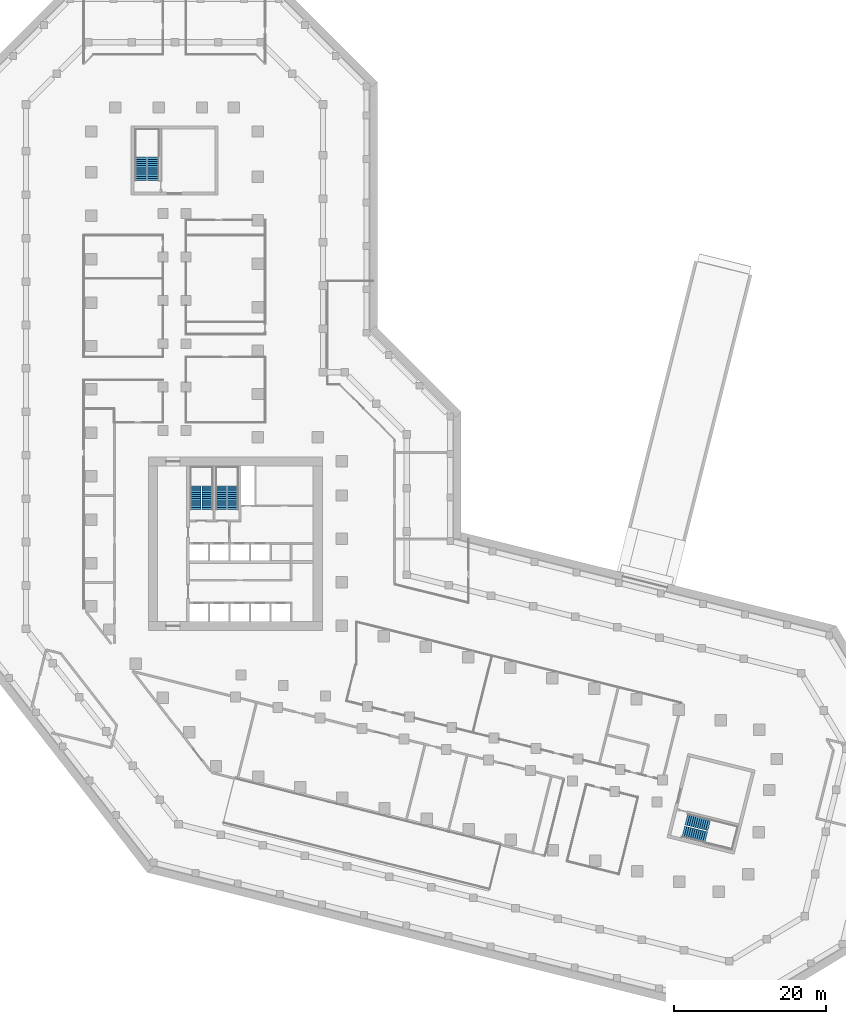
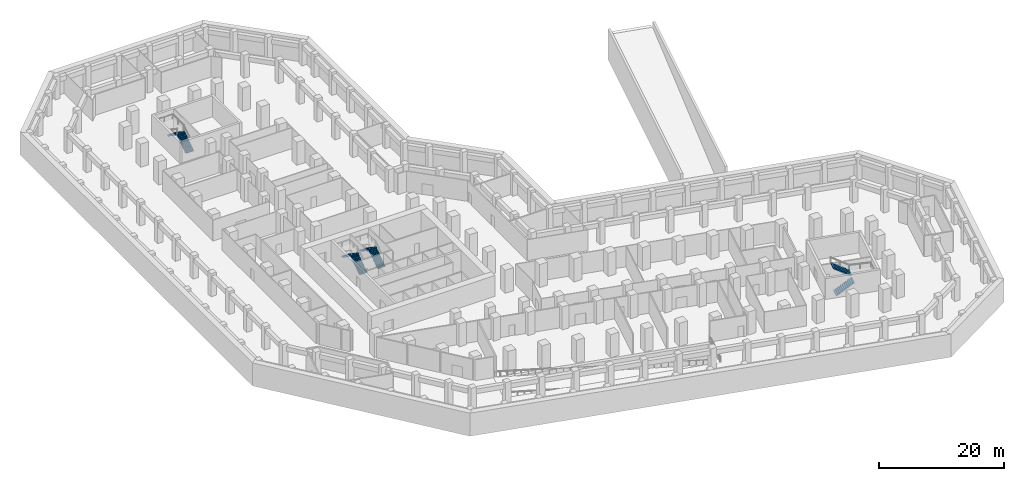
# One storey, part 13 of 14: 8 stair flights, 4 elements without a shape of their own.
"""IFC4 building model written with IfcOpenShell, lengths in metres."""

from ifc_helpers import new_model, si_unit, direction, frame, origin, place, context, subcontext, project, spatial, polyline, outline, extrude, material, type_object, element, aggregate, save


model = new_model("IFC4")

# Units and contexts
model_context = context("Model", 3, precision=1e-05, world=origin(), true_north=direction((0.0, 1.0)))
body_context = subcontext(model_context, "Body", "Model", "MODEL_VIEW")
ifc_project = project(units=[si_unit("LENGTHUNIT", "METRE"), si_unit("AREAUNIT", "SQUARE_METRE"), si_unit("VOLUMEUNIT", "CUBIC_METRE"), si_unit("PLANEANGLEUNIT", "RADIAN"), si_unit("MASSUNIT", "GRAM", prefix="KILO")], contexts=[model_context])

# Site, building, storey
site_placement = place(None, origin())
site = spatial("IfcSite", under=ifc_project, at=site_placement, CompositionType="ELEMENT")
building_placement = place(site_placement, origin())
building = spatial("IfcBuilding", under=site, at=building_placement, Name="Meshkara Civic Tower", CompositionType="ELEMENT")
storey_placement = place(building_placement, frame((0.0, 0.0, -4.5)))
storey = spatial("IfcBuildingStorey", under=building, at=storey_placement, Name="B1", CompositionType="ELEMENT", Elevation=-4.5)

# Stair, stair flights
ifc_material_1 = material(Name="Precast concrete C40/50", Category="concrete")
stair_type_1 = type_object("IfcStairType", Name="Exit stair half-turn 24 risers 1500 precast", PredefinedType="HALF_TURN_STAIR", material=ifc_material_1)
stair_1_placement = place(storey_placement, origin())
stair_1 = element("IfcStair", 1, at=stair_1_placement, inside=storey, type_object=stair_type_1, Name="B1 exit stair A from B2", PredefinedType="HALF_TURN_STAIR")
ifc_material_2 = material(Name="Precast concrete C40/50", Category="concrete")
stair_flight_type_1 = type_object("IfcStairFlightType", Name="Exit stair flight 12 risers 1500 precast", PredefinedType="STRAIGHT", material=ifc_material_2)
stair_flight_1_placement = place(storey_placement, frame((8.625, 73.169921875, 0.0), z_axis=(0.0, 0.0, 1.0), x_axis=(0.0, 1.0, 0.0)))
stair_flight_1 = element("IfcStairFlight", 2, at=stair_flight_1_placement, type_object=stair_flight_type_1, Name="ESA1 flight 1", NumberOfRisers=12, NumberOfTreads=11, PredefinedType="STRAIGHT", RiserHeight=0.1875, TreadLength=0.28, context=body_context, shape_type="SweptSolid", body=[
    extrude(outline(polyline([(0.0, 0.0), (0.0, 0.1875), (0.280029296875, 0.1875), (0.280029296875, 0.375), (0.56005859375, 0.375), (0.56005859375, 0.5625), (0.840087890625, 0.5625), (0.840087890625, 0.75), (1.1201171875, 0.75), (1.1201171875, 0.9375), (1.39990234375, 0.9375), (1.39990234375, 1.125), (1.679931640625, 1.125), (1.679931640625, 1.3125), (1.9599609375, 1.3125), (1.9599609375, 1.5), (2.239990234375, 1.5), (2.239990234375, 1.6875), (2.52001953125, 1.6875), (2.52001953125, 1.875), (2.800048828125, 1.875), (2.800048828125, 2.0625), (3.080078125, 2.0625), (3.080078125, 2.25), (3.080078125, 1.882080078125), (0.26953125, 0.0), (0.0, 0.0)])), frame((0.0, 0.75, 0.0), z_axis=(0.0, -1.0, 0.0), x_axis=(1.0, 0.0, 0.0)), (0.0, 0.0, 1.0), 1.5),
])
stair_flight_2_placement = place(storey_placement, frame((6.97509765625, 76.25, 2.25), z_axis=(0.0, 0.0, 1.0), x_axis=(0.0, -1.0, 0.0)))
stair_flight_2 = element("IfcStairFlight", 3, at=stair_flight_2_placement, type_object=stair_flight_type_1, Name="ESA1 flight 2", NumberOfRisers=12, NumberOfTreads=11, PredefinedType="STRAIGHT", RiserHeight=0.1875, TreadLength=0.28, context=body_context, shape_type="SweptSolid", body=[
    extrude(outline(polyline([(0.0, 0.0), (0.0, 0.1875), (0.280029296875, 0.1875), (0.280029296875, 0.375), (0.56005859375, 0.375), (0.56005859375, 0.5625), (0.840087890625, 0.5625), (0.840087890625, 0.75), (1.1201171875, 0.75), (1.1201171875, 0.9375), (1.39990234375, 0.9375), (1.39990234375, 1.125), (1.679931640625, 1.125), (1.679931640625, 1.3125), (1.9599609375, 1.3125), (1.9599609375, 1.5), (2.239990234375, 1.5), (2.239990234375, 1.6875), (2.52001953125, 1.6875), (2.52001953125, 1.875), (2.800048828125, 1.875), (2.800048828125, 2.0625), (3.080078125, 2.0625), (3.080078125, 2.25), (3.080078125, 1.882080078125), (0.26953125, 0.0), (0.0, 0.0)])), frame((0.0, 0.75, 0.0), z_axis=(0.0, -1.0, 0.0), x_axis=(1.0, 0.0, 0.0)), (0.0, 0.0, 1.0), 1.5),
])
aggregate(stair_1, [stair_flight_1, stair_flight_2])

stair_2_placement = place(storey_placement, origin())
stair_2 = element("IfcStair", 4, at=stair_2_placement, inside=storey, type_object=stair_type_1, Name="B1 exit stair B from B2", PredefinedType="HALF_TURN_STAIR")
stair_flight_3_placement = place(storey_placement, frame((78.214599609375, -12.3125, 0.0), z_axis=(0.0, 0.0, 1.0), x_axis=(0.970260066579, -0.242064873955, 0.0)))
stair_flight_3 = element("IfcStairFlight", 5, at=stair_flight_3_placement, type_object=stair_flight_type_1, Name="ESB1 flight 1", NumberOfRisers=12, NumberOfTreads=11, PredefinedType="STRAIGHT", RiserHeight=0.1875, TreadLength=0.28, context=body_context, shape_type="SweptSolid", body=[
    extrude(outline(polyline([(0.0, 0.0), (0.0, 0.1875), (0.280029296875, 0.1875), (0.280029296875, 0.375), (0.56005859375, 0.375), (0.56005859375, 0.5625), (0.840087890625, 0.5625), (0.840087890625, 0.75), (1.1201171875, 0.75), (1.1201171875, 0.9375), (1.39990234375, 0.9375), (1.39990234375, 1.125), (1.679931640625, 1.125), (1.679931640625, 1.3125), (1.9599609375, 1.3125), (1.9599609375, 1.5), (2.239990234375, 1.5), (2.239990234375, 1.6875), (2.52001953125, 1.6875), (2.52001953125, 1.875), (2.800048828125, 1.875), (2.800048828125, 2.0625), (3.080078125, 2.0625), (3.080078125, 2.25), (3.080078125, 1.882080078125), (0.26953125, 0.0), (0.0, 0.0)])), frame((0.0, 0.75, 0.0), z_axis=(0.0, -1.0, 0.0), x_axis=(1.0, 0.0, 0.0)), (0.0, 0.0, 1.0), 1.5),
])
stair_flight_4_placement = place(storey_placement, frame((81.6025390625, -11.457275390625, 2.25), z_axis=(0.0, 0.0, 1.0), x_axis=(-0.970260066579, 0.242064873955, 0.0)))
stair_flight_4 = element("IfcStairFlight", 6, at=stair_flight_4_placement, type_object=stair_flight_type_1, Name="ESB1 flight 2", NumberOfRisers=12, NumberOfTreads=11, PredefinedType="STRAIGHT", RiserHeight=0.1875, TreadLength=0.28, context=body_context, shape_type="SweptSolid", body=[
    extrude(outline(polyline([(0.0, 0.0), (0.0, 0.1875), (0.280029296875, 0.1875), (0.280029296875, 0.375), (0.56005859375, 0.375), (0.56005859375, 0.5625), (0.840087890625, 0.5625), (0.840087890625, 0.75), (1.1201171875, 0.75), (1.1201171875, 0.9375), (1.39990234375, 0.9375), (1.39990234375, 1.125), (1.679931640625, 1.125), (1.679931640625, 1.3125), (1.9599609375, 1.3125), (1.9599609375, 1.5), (2.239990234375, 1.5), (2.239990234375, 1.6875), (2.52001953125, 1.6875), (2.52001953125, 1.875), (2.800048828125, 1.875), (2.800048828125, 2.0625), (3.080078125, 2.0625), (3.080078125, 2.25), (3.080078125, 1.882080078125), (0.26953125, 0.0), (0.0, 0.0)])), frame((0.0, 0.75, 0.0), z_axis=(0.0, -1.0, 0.0), x_axis=(1.0, 0.0, 0.0)), (0.0, 0.0, 1.0), 1.5),
])
aggregate(stair_2, [stair_flight_3, stair_flight_4])

ifc_material_3 = material(Name="Precast concrete C40/50", Category="concrete")
stair_type_2 = type_object("IfcStairType", Name="Exit stair half-turn 24 risers precast", PredefinedType="HALF_TURN_STAIR", material=ifc_material_3)
stair_3_placement = place(storey_placement, origin())
stair_3 = element("IfcStair", 7, at=stair_3_placement, inside=storey, type_object=stair_type_2, Name="B1 exit stair 1", PredefinedType="HALF_TURN_STAIR")
ifc_material_4 = material(Name="Precast concrete C40/50", Category="concrete")
stair_flight_type_2 = type_object("IfcStairFlightType", Name="Exit stair flight 12 risers precast", PredefinedType="STRAIGHT", material=ifc_material_4)
stair_flight_5_placement = place(storey_placement, frame((15.72509765625, 30.0, 0.0), z_axis=(0.0, 0.0, 1.0), x_axis=(0.0, 1.0, 0.0)))
stair_flight_5 = element("IfcStairFlight", 8, at=stair_flight_5_placement, type_object=stair_flight_type_2, Name="ST1 flight 1", NumberOfRisers=12, NumberOfTreads=11, PredefinedType="STRAIGHT", RiserHeight=0.1875, TreadLength=0.28, context=body_context, shape_type="SweptSolid", body=[
    extrude(outline(polyline([(0.0, 0.0), (0.0, 0.1875), (0.280029296875, 0.1875), (0.280029296875, 0.375), (0.56005859375, 0.375), (0.56005859375, 0.5625), (0.840087890625, 0.5625), (0.840087890625, 0.75), (1.1201171875, 0.75), (1.1201171875, 0.9375), (1.39990234375, 0.9375), (1.39990234375, 1.125), (1.679931640625, 1.125), (1.679931640625, 1.3125), (1.9599609375, 1.3125), (1.9599609375, 1.5), (2.239990234375, 1.5), (2.239990234375, 1.6875), (2.52001953125, 1.6875), (2.52001953125, 1.875), (2.800048828125, 1.875), (2.800048828125, 2.0625), (3.080078125, 2.0625), (3.080078125, 2.25), (3.080078125, 1.882080078125), (0.26953125, 0.0), (0.0, 0.0)])), frame((0.0, 0.699951171875, 0.0), z_axis=(0.0, -1.0, 0.0), x_axis=(1.0, 0.0, 0.0)), (0.0, 0.0, 1.0), 1.39990234375),
])
stair_flight_6_placement = place(storey_placement, frame((14.175048828125, 33.080078125, 2.25), z_axis=(0.0, 0.0, 1.0), x_axis=(0.0, -1.0, 0.0)))
stair_flight_6 = element("IfcStairFlight", 9, at=stair_flight_6_placement, type_object=stair_flight_type_2, Name="ST1 flight 2", NumberOfRisers=12, NumberOfTreads=11, PredefinedType="STRAIGHT", RiserHeight=0.1875, TreadLength=0.28, context=body_context, shape_type="SweptSolid", body=[
    extrude(outline(polyline([(0.0, 0.0), (0.0, 0.1875), (0.280029296875, 0.1875), (0.280029296875, 0.375), (0.56005859375, 0.375), (0.56005859375, 0.5625), (0.840087890625, 0.5625), (0.840087890625, 0.75), (1.1201171875, 0.75), (1.1201171875, 0.9375), (1.39990234375, 0.9375), (1.39990234375, 1.125), (1.679931640625, 1.125), (1.679931640625, 1.3125), (1.9599609375, 1.3125), (1.9599609375, 1.5), (2.239990234375, 1.5), (2.239990234375, 1.6875), (2.52001953125, 1.6875), (2.52001953125, 1.875), (2.800048828125, 1.875), (2.800048828125, 2.0625), (3.080078125, 2.0625), (3.080078125, 2.25), (3.080078125, 1.882080078125), (0.26953125, 0.0), (0.0, 0.0)])), frame((0.0, 0.699951171875, 0.0), z_axis=(0.0, -1.0, 0.0), x_axis=(1.0, 0.0, 0.0)), (0.0, 0.0, 1.0), 1.39990234375),
])
aggregate(stair_3, [stair_flight_5, stair_flight_6])

stair_4_placement = place(storey_placement, origin())
stair_4 = element("IfcStair", 10, at=stair_4_placement, inside=storey, type_object=stair_type_2, Name="B1 exit stair 2", PredefinedType="HALF_TURN_STAIR")
stair_flight_7_placement = place(storey_placement, frame((19.074951171875, 30.0, 0.0), z_axis=(0.0, 0.0, 1.0), x_axis=(0.0, 1.0, 0.0)))
stair_flight_7 = element("IfcStairFlight", 11, at=stair_flight_7_placement, type_object=stair_flight_type_2, Name="ST2 flight 1", NumberOfRisers=12, NumberOfTreads=11, PredefinedType="STRAIGHT", RiserHeight=0.1875, TreadLength=0.28, context=body_context, shape_type="SweptSolid", body=[
    extrude(outline(polyline([(0.0, 0.0), (0.0, 0.1875), (0.280029296875, 0.1875), (0.280029296875, 0.375), (0.56005859375, 0.375), (0.56005859375, 0.5625), (0.840087890625, 0.5625), (0.840087890625, 0.75), (1.1201171875, 0.75), (1.1201171875, 0.9375), (1.39990234375, 0.9375), (1.39990234375, 1.125), (1.679931640625, 1.125), (1.679931640625, 1.3125), (1.9599609375, 1.3125), (1.9599609375, 1.5), (2.239990234375, 1.5), (2.239990234375, 1.6875), (2.52001953125, 1.6875), (2.52001953125, 1.875), (2.800048828125, 1.875), (2.800048828125, 2.0625), (3.080078125, 2.0625), (3.080078125, 2.25), (3.080078125, 1.882080078125), (0.26953125, 0.0), (0.0, 0.0)])), frame((0.0, 0.699951171875, 0.0), z_axis=(0.0, -1.0, 0.0), x_axis=(1.0, 0.0, 0.0)), (0.0, 0.0, 1.0), 1.39990234375),
])
stair_flight_8_placement = place(storey_placement, frame((17.52490234375, 33.080078125, 2.25), z_axis=(0.0, 0.0, 1.0), x_axis=(0.0, -1.0, 0.0)))
stair_flight_8 = element("IfcStairFlight", 12, at=stair_flight_8_placement, type_object=stair_flight_type_2, Name="ST2 flight 2", NumberOfRisers=12, NumberOfTreads=11, PredefinedType="STRAIGHT", RiserHeight=0.1875, TreadLength=0.28, context=body_context, shape_type="SweptSolid", body=[
    extrude(outline(polyline([(0.0, 0.0), (0.0, 0.1875), (0.280029296875, 0.1875), (0.280029296875, 0.375), (0.56005859375, 0.375), (0.56005859375, 0.5625), (0.840087890625, 0.5625), (0.840087890625, 0.75), (1.1201171875, 0.75), (1.1201171875, 0.9375), (1.39990234375, 0.9375), (1.39990234375, 1.125), (1.679931640625, 1.125), (1.679931640625, 1.3125), (1.9599609375, 1.3125), (1.9599609375, 1.5), (2.239990234375, 1.5), (2.239990234375, 1.6875), (2.52001953125, 1.6875), (2.52001953125, 1.875), (2.800048828125, 1.875), (2.800048828125, 2.0625), (3.080078125, 2.0625), (3.080078125, 2.25), (3.080078125, 1.882080078125), (0.26953125, 0.0), (0.0, 0.0)])), frame((0.0, 0.699951171875, 0.0), z_axis=(0.0, -1.0, 0.0), x_axis=(1.0, 0.0, 0.0)), (0.0, 0.0, 1.0), 1.39990234375),
])
aggregate(stair_4, [stair_flight_7, stair_flight_8])

save(model, "model.ifc")
